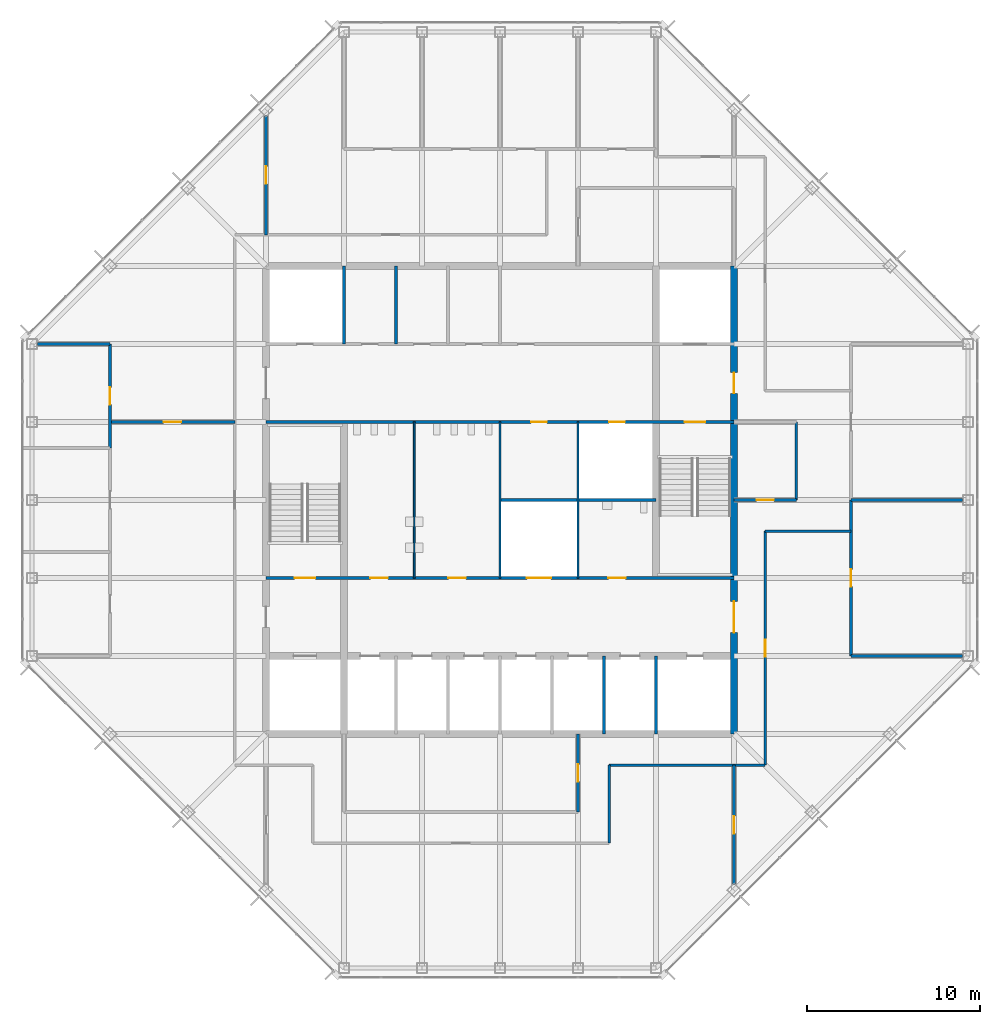
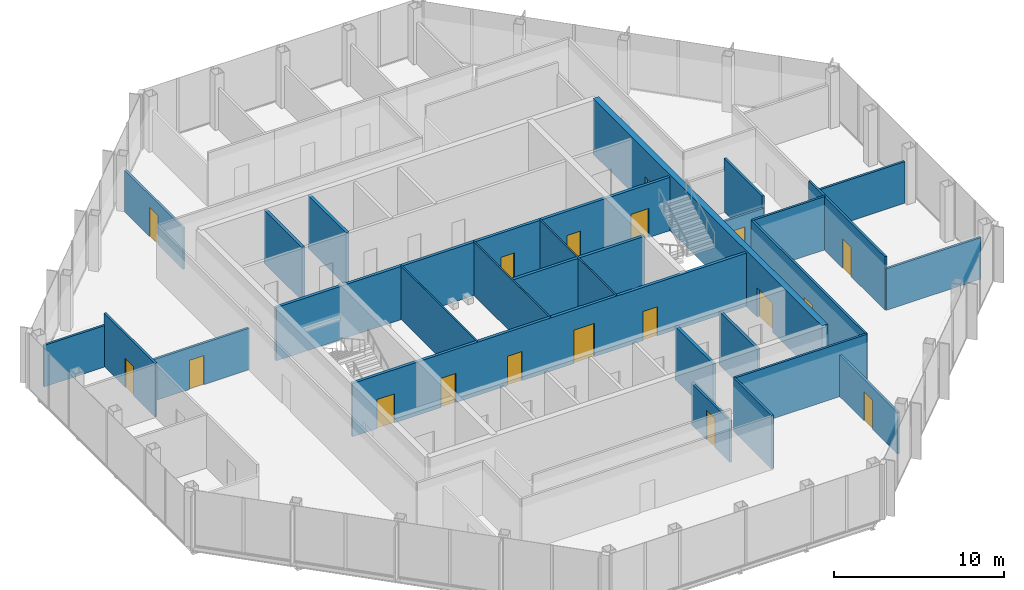
# One storey, part 10 of 14: 26 walls, 18 doors, 18 openings.
"""IFC4 building model written with IfcOpenShell, lengths in metres."""

from ifc_helpers import new_model, si_unit, direction, frame, frame_2d, origin, place, context, subcontext, project, spatial, rectangle, extrude, material, layer, layer_set, type_object, element, fill, save


model = new_model("IFC4")

# Units and contexts
model_context = context("Model", 3, precision=1e-05, world=origin(), true_north=direction((0.0, 1.0)))
body_context = subcontext(model_context, "Body", "Model", "MODEL_VIEW")
ifc_project = project(units=[si_unit("LENGTHUNIT", "METRE"), si_unit("AREAUNIT", "SQUARE_METRE"), si_unit("VOLUMEUNIT", "CUBIC_METRE"), si_unit("PLANEANGLEUNIT", "RADIAN"), si_unit("MASSUNIT", "GRAM", prefix="KILO")], contexts=[model_context])

# Site, building, storey
site_placement = place(None, origin())
site = spatial("IfcSite", under=ifc_project, at=site_placement, CompositionType="ELEMENT")
building_placement = place(site_placement, origin())
building = spatial("IfcBuilding", under=site, at=building_placement, Name="Corais Broadcast Tower", CompositionType="ELEMENT")
storey_placement = place(building_placement, frame((0.0, 0.0, 290.60009765625)))
storey = spatial("IfcBuildingStorey", under=building, at=storey_placement, Name="L68", CompositionType="ELEMENT", Elevation=290.60009765625)

# Walls
ifc_material_1 = material(Name="Concrete blockwork class A, grouted, two-hour", Category="masonry")
ifc_layer_1 = layer(ifc_material_1, 0.199951171875)
ifc_layer_set_1 = layer_set([ifc_layer_1], Name="Concrete blockwork class A, grouted, two-hour")
wall_type_1 = type_object("IfcWallType", Name="Core lobby wall 200", PredefinedType="SOLIDWALL", material=ifc_layer_set_1)
for number, where, z_axis, x_axis, name in (
    (1, (18.0, 36.0, 0.0), (0.0, 0.0, 1.0), (0.0, 1.0, 0.0), "CL3 core shaft wall X18B L68"),
    (2, (36.0, 13.5, 0.0), (0.0, 0.0, 1.0), (0.0, 1.0, 0.0), "CL3 core shaft wall X36A L68"),
):
    element("IfcWall", number, at=place(storey_placement, frame(where, z_axis=z_axis, x_axis=x_axis)), inside=storey, type_object=wall_type_1, Name=name, PredefinedType="SOLIDWALL", context=body_context, shape_type="SweptSolid", body=[
        extrude(rectangle(XDim=4.5, YDim=0.199951171875, at=frame_2d((2.25, 0.0))), origin(), (0.0, 0.0, 1.0), 3.83984375),
    ])

# Wall, openings, doors
wall_1_placement = place(storey_placement, frame((13.5, 22.5, 0.0), z_axis=(0.0, 0.0, 1.0), x_axis=(1.0, 0.0, 0.0)))
wall_1 = element("IfcWall", 3, at=wall_1_placement, inside=storey, type_object=wall_type_1, Name="CL3 core lobby wall Y225 L68", PredefinedType="SOLIDWALL", context=body_context, shape_type="SweptSolid", body=[
    extrude(rectangle(XDim=27.0, YDim=0.199951171875, at=frame_2d((13.5, 0.0))), origin(), (0.0, 0.0, 1.0), 3.83984375),
])
opening_1_placement = place(wall_1_placement, frame((1.64990234375, 0.0, 0.0)))
opening_1 = element("IfcOpeningElement", 4, at=opening_1_placement, cuts=wall_1, Name="Opening FD1", PredefinedType="OPENING", context=body_context, shape_type="SweptSolid", body=[
    extrude(rectangle(XDim=1.199951171875, YDim=2.10009765625, at=frame_2d((0.60009765625, 1.050048828125))), frame((0.0, 0.10986328125, 0.0), z_axis=(0.0, -1.0, 0.0), x_axis=(1.0, 0.0, 0.0)), (0.0, 0.0, 1.0), 0.219970703125),
])
opening_2_placement = place(wall_1_placement, frame((6.02490234375, 0.0, 0.0)))
opening_2 = element("IfcOpeningElement", 5, at=opening_2_placement, cuts=wall_1, Name="Opening WD1", PredefinedType="OPENING", context=body_context, shape_type="SweptSolid", body=[
    extrude(rectangle(XDim=1.0, YDim=2.10009765625, at=frame_2d((0.5, 1.050048828125))), frame((0.0, 0.10986328125, 0.0), z_axis=(0.0, -1.0, 0.0), x_axis=(1.0, 0.0, 0.0)), (0.0, 0.0, 1.0), 0.219970703125),
])
opening_3_placement = place(wall_1_placement, frame((10.52490234375, 0.0, 0.0)))
opening_3 = element("IfcOpeningElement", 6, at=opening_3_placement, cuts=wall_1, Name="Opening WD1", PredefinedType="OPENING", context=body_context, shape_type="SweptSolid", body=[
    extrude(rectangle(XDim=1.0, YDim=2.10009765625, at=frame_2d((0.5, 1.050048828125))), frame((0.0, 0.10986328125, 0.0), z_axis=(0.0, -1.0, 0.0), x_axis=(1.0, 0.0, 0.0)), (0.0, 0.0, 1.0), 0.219970703125),
])
opening_4_placement = place(wall_1_placement, frame((19.75, 0.0, 0.0)))
opening_4 = element("IfcOpeningElement", 7, at=opening_4_placement, cuts=wall_1, Name="Opening WD1", PredefinedType="OPENING", context=body_context, shape_type="SweptSolid", body=[
    extrude(rectangle(XDim=1.0, YDim=2.10009765625, at=frame_2d((0.5, 1.050048828125))), frame((0.0, 0.10986328125, 0.0), z_axis=(0.0, -1.0, 0.0), x_axis=(1.0, 0.0, 0.0)), (0.0, 0.0, 1.0), 0.219970703125),
])
opening_5_placement = place(wall_1_placement, frame((15.050048828125, 0.0, 0.0)))
opening_5 = element("IfcOpeningElement", 8, at=opening_5_placement, cuts=wall_1, Name="Opening LD3", PredefinedType="OPENING", context=body_context, shape_type="SweptSolid", body=[
    extrude(rectangle(XDim=1.39990234375, YDim=2.39990234375, at=frame_2d((0.699951171875, 1.199951171875))), frame((0.0, 0.10986328125, 0.0), z_axis=(0.0, -1.0, 0.0), x_axis=(1.0, 0.0, 0.0)), (0.0, 0.0, 1.0), 0.219970703125),
])
ifc_material_2 = material(Name="Steel fire door", Category="steel")
door_type_1 = type_object("IfcDoorType", Name="Fire door 1200x2100", OperationType="SINGLE_SWING_LEFT", PredefinedType="DOOR", material=ifc_material_2)
door_1_placement = place(opening_1_placement, origin())
door_1 = element("IfcDoor", 9, at=door_1_placement, inside=storey, type_object=door_type_1, Name="FD1 stair A door L68", OperationType="SINGLE_SWING_LEFT", OverallHeight=2.10009765625, OverallWidth=1.199951171875, PredefinedType="DOOR", context=body_context, shape_type="SweptSolid", body=[
    extrude(rectangle(XDim=1.199951171875, YDim=2.10009765625, at=frame_2d((0.60009765625, 1.050048828125))), frame((0.0, 0.02490234375, 0.0), z_axis=(0.0, -1.0, 0.0), x_axis=(1.0, 0.0, 0.0)), (0.0, 0.0, 1.0), 0.050048828125),
])
fill(opening_1, door_1)
ifc_material_3 = material(Name="Stainless steel lift door", Category="steel")
door_type_2 = type_object("IfcDoorType", Name="Service lift landing door 1400x2400", OperationType="SLIDING_TO_LEFT", PredefinedType="DOOR", material=ifc_material_3)
door_2_placement = place(opening_5_placement, origin())
door_2 = element("IfcDoor", 10, at=door_2_placement, inside=storey, type_object=door_type_2, Name="LD3 SL1 landing door L68", OperationType="SLIDING_TO_LEFT", OverallHeight=2.39990234375, OverallWidth=1.39990234375, PredefinedType="DOOR", context=body_context, shape_type="SweptSolid", body=[
    extrude(rectangle(XDim=1.39990234375, YDim=2.39990234375, at=frame_2d((0.699951171875, 1.199951171875))), frame((0.0, 0.02490234375, 0.0), z_axis=(0.0, -1.0, 0.0), x_axis=(1.0, 0.0, 0.0)), (0.0, 0.0, 1.0), 0.050048828125),
])
fill(opening_5, door_2)
ifc_material_4 = material(Name="Timber door", Category="wood")
door_type_3 = type_object("IfcDoorType", Name="Toilet door 1000x2100", OperationType="SINGLE_SWING_LEFT", PredefinedType="DOOR", material=ifc_material_4)
door_3_placement = place(opening_2_placement, origin())
door_3 = element("IfcDoor", 11, at=door_3_placement, inside=storey, type_object=door_type_3, Name="WD1 WC male door L68", OperationType="SINGLE_SWING_LEFT", OverallHeight=2.10009765625, OverallWidth=1.0, PredefinedType="DOOR", context=body_context, shape_type="SweptSolid", body=[
    extrude(rectangle(XDim=1.0, YDim=2.10009765625, at=frame_2d((0.5, 1.050048828125))), frame((0.0, 0.02490234375, 0.0), z_axis=(0.0, -1.0, 0.0), x_axis=(1.0, 0.0, 0.0)), (0.0, 0.0, 1.0), 0.050048828125),
])
fill(opening_2, door_3)
door_4_placement = place(opening_3_placement, origin())
door_4 = element("IfcDoor", 12, at=door_4_placement, inside=storey, type_object=door_type_3, Name="WD1 WC female door L68", OperationType="SINGLE_SWING_LEFT", OverallHeight=2.10009765625, OverallWidth=1.0, PredefinedType="DOOR", context=body_context, shape_type="SweptSolid", body=[
    extrude(rectangle(XDim=1.0, YDim=2.10009765625, at=frame_2d((0.5, 1.050048828125))), frame((0.0, 0.02490234375, 0.0), z_axis=(0.0, -1.0, 0.0), x_axis=(1.0, 0.0, 0.0)), (0.0, 0.0, 1.0), 0.050048828125),
])
fill(opening_3, door_4)
door_5_placement = place(opening_4_placement, origin())
door_5 = element("IfcDoor", 13, at=door_5_placement, inside=storey, type_object=door_type_3, Name="WD1 accessible WC door L68", OperationType="SINGLE_SWING_RIGHT", OverallHeight=2.10009765625, OverallWidth=1.0, PredefinedType="DOOR", context=body_context, shape_type="SweptSolid", body=[
    extrude(rectangle(XDim=1.0, YDim=2.10009765625, at=frame_2d((0.5, 1.050048828125))), frame((0.0, 0.02490234375, 0.0), z_axis=(0.0, -1.0, 0.0), x_axis=(1.0, 0.0, 0.0)), (0.0, 0.0, 1.0), 0.050048828125),
])
fill(opening_4, door_5)

wall_2_placement = place(storey_placement, frame((13.5, 31.5, 0.0), z_axis=(0.0, 0.0, 1.0), x_axis=(1.0, 0.0, 0.0)))
wall_2 = element("IfcWall", 14, at=wall_2_placement, inside=storey, type_object=wall_type_1, Name="CL3 core lobby wall Y315 L68", PredefinedType="SOLIDWALL", context=body_context, shape_type="SweptSolid", body=[
    extrude(rectangle(XDim=27.0, YDim=0.199951171875, at=frame_2d((13.5, 0.0))), origin(), (0.0, 0.0, 1.0), 3.83984375),
])
opening_6_placement = place(wall_2_placement, frame((24.14990234375, 0.0, 0.0)))
opening_6 = element("IfcOpeningElement", 15, at=opening_6_placement, cuts=wall_2, Name="Opening FD1", PredefinedType="OPENING", context=body_context, shape_type="SweptSolid", body=[
    extrude(rectangle(XDim=1.199951171875, YDim=2.10009765625, at=frame_2d((0.60009765625, 1.050048828125))), frame((0.0, 0.10986328125, 0.0), z_axis=(0.0, -1.0, 0.0), x_axis=(1.0, 0.0, 0.0)), (0.0, 0.0, 1.0), 0.219970703125),
])
opening_7_placement = place(wall_2_placement, frame((15.300048828125, 0.0, 0.0)))
opening_7 = element("IfcOpeningElement", 16, at=opening_7_placement, cuts=wall_2, Name="Opening RD1", PredefinedType="OPENING", context=body_context, shape_type="SweptSolid", body=[
    extrude(rectangle(XDim=0.89990234375, YDim=2.10009765625, at=frame_2d((0.449951171875, 1.050048828125))), frame((0.0, 0.10986328125, 0.0), z_axis=(0.0, -1.0, 0.0), x_axis=(1.0, 0.0, 0.0)), (0.0, 0.0, 1.0), 0.219970703125),
])
opening_8_placement = place(wall_2_placement, frame((19.800048828125, 0.0, 0.0)))
opening_8 = element("IfcOpeningElement", 17, at=opening_8_placement, cuts=wall_2, Name="Opening RD1", PredefinedType="OPENING", context=body_context, shape_type="SweptSolid", body=[
    extrude(rectangle(XDim=0.89990234375, YDim=2.10009765625, at=frame_2d((0.449951171875, 1.050048828125))), frame((0.0, 0.10986328125, 0.0), z_axis=(0.0, -1.0, 0.0), x_axis=(1.0, 0.0, 0.0)), (0.0, 0.0, 1.0), 0.219970703125),
])
door_6_placement = place(opening_6_placement, origin())
door_6 = element("IfcDoor", 18, at=door_6_placement, inside=storey, type_object=door_type_1, Name="FD1 stair B door L68", OperationType="SINGLE_SWING_RIGHT", OverallHeight=2.10009765625, OverallWidth=1.199951171875, PredefinedType="DOOR", context=body_context, shape_type="SweptSolid", body=[
    extrude(rectangle(XDim=1.199951171875, YDim=2.10009765625, at=frame_2d((0.60009765625, 1.050048828125))), frame((0.0, 0.02490234375, 0.0), z_axis=(0.0, -1.0, 0.0), x_axis=(1.0, 0.0, 0.0)), (0.0, 0.0, 1.0), 0.050048828125),
])
fill(opening_6, door_6)
ifc_material_5 = material(Name="Steel fire door", Category="steel")
door_type_4 = type_object("IfcDoorType", Name="Riser door 900x2100", OperationType="SINGLE_SWING_LEFT", PredefinedType="DOOR", material=ifc_material_5)
door_7_placement = place(opening_7_placement, origin())
door_7 = element("IfcDoor", 19, at=door_7_placement, inside=storey, type_object=door_type_4, Name="RD1 stationery store door L68", OperationType="SINGLE_SWING_RIGHT", OverallHeight=2.10009765625, OverallWidth=0.89990234375, PredefinedType="DOOR", context=body_context, shape_type="SweptSolid", body=[
    extrude(rectangle(XDim=0.89990234375, YDim=2.10009765625, at=frame_2d((0.449951171875, 1.050048828125))), frame((0.0, 0.02490234375, 0.0), z_axis=(0.0, -1.0, 0.0), x_axis=(1.0, 0.0, 0.0)), (0.0, 0.0, 1.0), 0.050048828125),
])
fill(opening_7, door_7)
door_8_placement = place(opening_8_placement, origin())
door_8 = element("IfcDoor", 20, at=door_8_placement, inside=storey, type_object=door_type_4, Name="RD1 riser door L68", OperationType="SINGLE_SWING_RIGHT", OverallHeight=2.10009765625, OverallWidth=0.89990234375, PredefinedType="DOOR", context=body_context, shape_type="SweptSolid", body=[
    extrude(rectangle(XDim=0.89990234375, YDim=2.10009765625, at=frame_2d((0.449951171875, 1.050048828125))), frame((0.0, 0.02490234375, 0.0), z_axis=(0.0, -1.0, 0.0), x_axis=(1.0, 0.0, 0.0)), (0.0, 0.0, 1.0), 0.050048828125),
])
fill(opening_8, door_8)

ifc_material_6 = material(Name="Concrete C50/60", Category="concrete")
ifc_layer_2 = layer(ifc_material_6, 0.39990234375)
ifc_layer_set_2 = layer_set([ifc_layer_2], Name="Concrete C50/60")
wall_type_2 = type_object("IfcWallType", Name="Core wall 400", PredefinedType="SHEAR", material=ifc_layer_set_2)
wall_3_placement = place(storey_placement, frame((40.5, 13.5, 0.0), z_axis=(0.0, 0.0, 1.0), x_axis=(0.0, 1.0, 0.0)))
wall_3 = element("IfcWall", 21, at=wall_3_placement, inside=storey, type_object=wall_type_2, Name="CR400 core wall E L68", PredefinedType="SHEAR", context=body_context, shape_type="SweptSolid", body=[
    extrude(rectangle(XDim=27.0, YDim=0.39990234375, at=frame_2d((13.5, 0.0))), origin(), (0.0, 0.0, 1.0), 4.0),
])
opening_9_placement = place(wall_3_placement, frame((5.85009765625, 0.0, 0.0)))
opening_9 = element("IfcOpeningElement", 22, at=opening_9_placement, cuts=wall_3, Name="Opening FD2", PredefinedType="OPENING", context=body_context, shape_type="SweptSolid", body=[
    extrude(rectangle(XDim=1.800048828125, YDim=2.10009765625, at=frame_2d((0.89990234375, 1.050048828125))), frame((0.0, 0.2099609375, 0.0), z_axis=(0.0, -1.0, 0.0), x_axis=(1.0, 0.0, 0.0)), (0.0, 0.0, 1.0), 0.419921875),
])
opening_10_placement = place(wall_3_placement, frame((19.64990234375, 0.0, 0.0)))
opening_10 = element("IfcOpeningElement", 23, at=opening_10_placement, cuts=wall_3, Name="Opening FD1", PredefinedType="OPENING", context=body_context, shape_type="SweptSolid", body=[
    extrude(rectangle(XDim=1.199951171875, YDim=2.10009765625, at=frame_2d((0.60009765625, 1.050048828125))), frame((0.0, 0.2099609375, 0.0), z_axis=(0.0, -1.0, 0.0), x_axis=(1.0, 0.0, 0.0)), (0.0, 0.0, 1.0), 0.419921875),
])
door_9_placement = place(opening_10_placement, origin())
door_9 = element("IfcDoor", 24, at=door_9_placement, inside=storey, type_object=door_type_1, Name="FD1 fire lobby B door L68", OperationType="SINGLE_SWING_RIGHT", OverallHeight=2.10009765625, OverallWidth=1.199951171875, PredefinedType="DOOR", context=body_context, shape_type="SweptSolid", body=[
    extrude(rectangle(XDim=1.199951171875, YDim=2.10009765625, at=frame_2d((0.60009765625, 1.050048828125))), frame((0.0, 0.02490234375, 0.0), z_axis=(0.0, -1.0, 0.0), x_axis=(1.0, 0.0, 0.0)), (0.0, 0.0, 1.0), 0.050048828125),
])
fill(opening_10, door_9)
ifc_material_7 = material(Name="Steel fire door", Category="steel")
door_type_5 = type_object("IfcDoorType", Name="Fire door pair 1800x2100", OperationType="DOUBLE_DOOR_SINGLE_SWING", PredefinedType="DOOR", material=ifc_material_7)
door_10_placement = place(opening_9_placement, origin())
door_10 = element("IfcDoor", 25, at=door_10_placement, inside=storey, type_object=door_type_5, Name="FD2 lift lobby door L68", OperationType="SINGLE_SWING_LEFT", OverallHeight=2.10009765625, OverallWidth=1.800048828125, PredefinedType="DOOR", context=body_context, shape_type="SweptSolid", body=[
    extrude(rectangle(XDim=1.800048828125, YDim=2.10009765625, at=frame_2d((0.89990234375, 1.050048828125))), frame((0.0, 0.02490234375, 0.0), z_axis=(0.0, -1.0, 0.0), x_axis=(1.0, 0.0, 0.0)), (0.0, 0.0, 1.0), 0.050048828125),
])
fill(opening_9, door_10)

# Wall, opening, door
ifc_material_8 = material(Name="Gypsum board on steel studs", Category="steel")
ifc_layer_3 = layer(ifc_material_8, 0.14990234375)
ifc_layer_set_3 = layer_set([ifc_layer_3], Name="Gypsum board on steel studs")
wall_type_3 = type_object("IfcWallType", Name="Partition 150", PredefinedType="PARTITIONING", material=ifc_layer_set_3)
wall_4_placement = place(storey_placement, frame((42.300048828125, 11.699951171875, 0.0), z_axis=(0.0, 0.0, 1.0), x_axis=(0.0, 1.0, 0.0)))
wall_4 = element("IfcWall", 26, at=wall_4_placement, inside=storey, type_object=wall_type_3, Name="IW3 corridor wall L68", PredefinedType="PARTITIONING", context=body_context, shape_type="SweptSolid", body=[
    extrude(rectangle(XDim=13.5, YDim=0.14990234375, at=frame_2d((6.75, 0.0))), origin(), (0.0, 0.0, 1.0), 3.83984375),
])
opening_11_placement = place(wall_4_placement, frame((6.25, 0.0, 0.0)))
opening_11 = element("IfcOpeningElement", 27, at=opening_11_placement, cuts=wall_4, Name="Opening D1", PredefinedType="OPENING", context=body_context, shape_type="SweptSolid", body=[
    extrude(rectangle(XDim=1.0, YDim=2.10009765625, at=frame_2d((0.5, 1.050048828125))), frame((0.0, 0.0849609375, 0.0), z_axis=(0.0, -1.0, 0.0), x_axis=(1.0, 0.0, 0.0)), (0.0, 0.0, 1.0), 0.169921875),
])
ifc_material_9 = material(Name="Timber door", Category="wood")
door_type_6 = type_object("IfcDoorType", Name="Single door 1000x2100", OperationType="SINGLE_SWING_LEFT", PredefinedType="DOOR", material=ifc_material_9)
door_11_placement = place(opening_11_placement, origin())
door_11 = element("IfcDoor", 28, at=door_11_placement, inside=storey, type_object=door_type_6, Name="D1 workplace door L68", OperationType="SINGLE_SWING_LEFT", OverallHeight=2.10009765625, OverallWidth=1.0, PredefinedType="DOOR", context=body_context, shape_type="SweptSolid", body=[
    extrude(rectangle(XDim=1.0, YDim=2.10009765625, at=frame_2d((0.5, 1.050048828125))), frame((0.0, 0.02490234375, 0.0), z_axis=(0.0, -1.0, 0.0), x_axis=(1.0, 0.0, 0.0)), (0.0, 0.0, 1.0), 0.050048828125),
])
fill(opening_11, door_11)

# Walls
wall_5_placement = place(storey_placement, frame((33.300048828125, 11.699951171875, 0.0), z_axis=(0.0, 0.0, 1.0), x_axis=(1.0, 0.0, 0.0)))
element("IfcWall", 29, at=wall_5_placement, inside=storey, type_object=wall_type_3, Name="IW3 corridor wall L68", PredefinedType="PARTITIONING", context=body_context, shape_type="SweptSolid", body=[
    extrude(rectangle(XDim=9.0, YDim=0.14990234375, at=frame_2d((4.5, 0.0))), origin(), (0.0, 0.0, 1.0), 3.83984375),
])
wall_6_placement = place(storey_placement, frame((42.300048828125, 25.199951171875, 0.0), z_axis=(0.0, 0.0, 1.0), x_axis=(1.0, 0.0, 0.0)))
element("IfcWall", 30, at=wall_6_placement, inside=storey, type_object=wall_type_3, Name="IW3 corridor wall L68", PredefinedType="PARTITIONING", context=body_context, shape_type="SweptSolid", body=[
    extrude(rectangle(XDim=4.949951171875, YDim=0.14990234375, at=frame_2d((2.47509765625, 0.0))), origin(), (0.0, 0.0, 1.0), 3.83984375),
])
wall_7_placement = place(storey_placement, frame((33.300048828125, 7.199951171875, 0.0), z_axis=(0.0, 0.0, 1.0), x_axis=(0.0, 1.0, 0.0)))
element("IfcWall", 31, at=wall_7_placement, inside=storey, type_object=wall_type_3, Name="IW3 corridor wall L68", PredefinedType="PARTITIONING", context=body_context, shape_type="SweptSolid", body=[
    extrude(rectangle(XDim=4.5, YDim=0.14990234375, at=frame_2d((2.25, 0.0))), origin(), (0.0, 0.0, 1.0), 3.83984375),
])

# Wall, opening, door
wall_8_placement = place(storey_placement, frame((4.5, 30.0, 0.0), z_axis=(0.0, 0.0, 1.0), x_axis=(0.0, 1.0, 0.0)))
wall_8 = element("IfcWall", 32, at=wall_8_placement, inside=storey, type_object=wall_type_3, Name="IW3 partition L68", PredefinedType="PARTITIONING", context=body_context, shape_type="SweptSolid", body=[
    extrude(rectangle(XDim=6.0, YDim=0.14990234375, at=frame_2d((3.0, 0.0))), origin(), (0.0, 0.0, 1.0), 3.83984375),
])
opening_12_placement = place(wall_8_placement, frame((2.5, 0.0, 0.0)))
opening_12 = element("IfcOpeningElement", 33, at=opening_12_placement, cuts=wall_8, Name="Opening D1", PredefinedType="OPENING", context=body_context, shape_type="SweptSolid", body=[
    extrude(rectangle(XDim=1.0, YDim=2.10009765625, at=frame_2d((0.5, 1.050048828125))), frame((0.0, 0.0849609375, 0.0), z_axis=(0.0, -1.0, 0.0), x_axis=(1.0, 0.0, 0.0)), (0.0, 0.0, 1.0), 0.169921875),
])
door_12_placement = place(opening_12_placement, origin())
door_12 = element("IfcDoor", 34, at=door_12_placement, inside=storey, type_object=door_type_6, Name="D1 Office door", OperationType="SINGLE_SWING_LEFT", OverallHeight=2.10009765625, OverallWidth=1.0, PredefinedType="DOOR", context=body_context, shape_type="SweptSolid", body=[
    extrude(rectangle(XDim=1.0, YDim=2.10009765625, at=frame_2d((0.5, 1.050048828125))), frame((0.0, 0.02490234375, 0.0), z_axis=(0.0, -1.0, 0.0), x_axis=(1.0, 0.0, 0.0)), (0.0, 0.0, 1.0), 0.050048828125),
])
fill(opening_12, door_12)

# Wall
wall_9_placement = place(storey_placement, frame((4.5, 36.0, 0.0), z_axis=(0.0, 0.0, 1.0), x_axis=(-1.0, 0.0, 0.0)))
element("IfcWall", 35, at=wall_9_placement, inside=storey, type_object=wall_type_3, Name="IW3 partition L68", PredefinedType="PARTITIONING", context=body_context, shape_type="SweptSolid", body=[
    extrude(rectangle(XDim=4.18994140625, YDim=0.14990234375, at=frame_2d((2.094970703125, 0.0))), origin(), (0.0, 0.0, 1.0), 2.989013671875),
])

# Wall, opening, door
wall_10_placement = place(storey_placement, frame((31.5, 9.0, 0.0), z_axis=(0.0, 0.0, 1.0), x_axis=(0.0, 1.0, 0.0)))
wall_10 = element("IfcWall", 36, at=wall_10_placement, inside=storey, type_object=wall_type_3, Name="IW3 partition L68", PredefinedType="PARTITIONING", context=body_context, shape_type="SweptSolid", body=[
    extrude(rectangle(XDim=4.5, YDim=0.14990234375, at=frame_2d((2.25, 0.0))), origin(), (0.0, 0.0, 1.0), 2.989013671875),
])
opening_13_placement = place(wall_10_placement, frame((1.75, 0.0, 0.0)))
opening_13 = element("IfcOpeningElement", 37, at=opening_13_placement, cuts=wall_10, Name="Opening D1", PredefinedType="OPENING", context=body_context, shape_type="SweptSolid", body=[
    extrude(rectangle(XDim=1.0, YDim=2.10009765625, at=frame_2d((0.5, 1.050048828125))), frame((0.0, 0.0849609375, 0.0), z_axis=(0.0, -1.0, 0.0), x_axis=(1.0, 0.0, 0.0)), (0.0, 0.0, 1.0), 0.169921875),
])
door_13_placement = place(opening_13_placement, origin())
door_13 = element("IfcDoor", 38, at=door_13_placement, inside=storey, type_object=door_type_6, Name="D1 Board meeting room door", OperationType="SINGLE_SWING_LEFT", OverallHeight=2.10009765625, OverallWidth=1.0, PredefinedType="DOOR", context=body_context, shape_type="SweptSolid", body=[
    extrude(rectangle(XDim=1.0, YDim=2.10009765625, at=frame_2d((0.5, 1.050048828125))), frame((0.0, 0.02490234375, 0.0), z_axis=(0.0, -1.0, 0.0), x_axis=(1.0, 0.0, 0.0)), (0.0, 0.0, 1.0), 0.050048828125),
])
fill(opening_13, door_13)

wall_11_placement = place(storey_placement, frame((40.5, 27.0, 0.0), z_axis=(0.0, 0.0, 1.0), x_axis=(1.0, 0.0, 0.0)))
wall_11 = element("IfcWall", 39, at=wall_11_placement, inside=storey, type_object=wall_type_3, Name="IW3 partition L68", PredefinedType="PARTITIONING", context=body_context, shape_type="SweptSolid", body=[
    extrude(rectangle(XDim=3.60009765625, YDim=0.14990234375, at=frame_2d((1.800048828125, 0.0))), origin(), (0.0, 0.0, 1.0), 2.989013671875),
])
opening_14_placement = place(wall_11_placement, frame((1.300048828125, 0.0, 0.0)))
opening_14 = element("IfcOpeningElement", 40, at=opening_14_placement, cuts=wall_11, Name="Opening D1", PredefinedType="OPENING", context=body_context, shape_type="SweptSolid", body=[
    extrude(rectangle(XDim=1.0, YDim=2.10009765625, at=frame_2d((0.5, 1.050048828125))), frame((0.0, 0.0849609375, 0.0), z_axis=(0.0, -1.0, 0.0), x_axis=(1.0, 0.0, 0.0)), (0.0, 0.0, 1.0), 0.169921875),
])
door_14_placement = place(opening_14_placement, origin())
door_14 = element("IfcDoor", 41, at=door_14_placement, inside=storey, type_object=door_type_6, Name="D1 Pantry door", OperationType="SINGLE_SWING_LEFT", OverallHeight=2.10009765625, OverallWidth=1.0, PredefinedType="DOOR", context=body_context, shape_type="SweptSolid", body=[
    extrude(rectangle(XDim=1.0, YDim=2.10009765625, at=frame_2d((0.5, 1.050048828125))), frame((0.0, 0.02490234375, 0.0), z_axis=(0.0, -1.0, 0.0), x_axis=(1.0, 0.0, 0.0)), (0.0, 0.0, 1.0), 0.050048828125),
])
fill(opening_14, door_14)

# Walls
wall_12_placement = place(storey_placement, frame((44.10009765625, 27.0, 0.0), z_axis=(0.0, 0.0, 1.0), x_axis=(0.0, 1.0, 0.0)))
element("IfcWall", 42, at=wall_12_placement, inside=storey, type_object=wall_type_3, Name="IW3 partition L68", PredefinedType="PARTITIONING", context=body_context, shape_type="SweptSolid", body=[
    extrude(rectangle(XDim=4.5, YDim=0.14990234375, at=frame_2d((2.25, 0.0))), origin(), (0.0, 0.0, 1.0), 3.83984375),
])
for number, where, z_axis, x_axis, name in (
    (43, (47.25, 18.0, 0.0), (0.0, 0.0, 1.0), (1.0, 0.0, 0.0), "IW3 partition L68"),
    (44, (53.68994140625, 27.0, 0.0), (0.0, 0.0, 1.0), (-1.0, 0.0, 0.0), "IW3 partition L68"),
):
    element("IfcWall", number, at=place(storey_placement, frame(where, z_axis=z_axis, x_axis=x_axis)), inside=storey, type_object=wall_type_3, Name=name, PredefinedType="PARTITIONING", context=body_context, shape_type="SweptSolid", body=[
        extrude(rectangle(XDim=6.43994140625, YDim=0.14990234375, at=frame_2d((3.219970703125, 0.0))), origin(), (0.0, 0.0, 1.0), 2.989013671875),
    ])

# Wall, opening, door
wall_13_placement = place(storey_placement, frame((47.25, 27.0, 0.0), z_axis=(0.0, 0.0, 1.0), x_axis=(0.0, -1.0, 0.0)))
wall_13 = element("IfcWall", 45, at=wall_13_placement, inside=storey, type_object=wall_type_3, Name="IW3 partition L68", PredefinedType="PARTITIONING", context=body_context, shape_type="SweptSolid", body=[
    extrude(rectangle(XDim=9.0, YDim=0.14990234375, at=frame_2d((4.5, 0.0))), origin(), (0.0, 0.0, 1.0), 3.83984375),
])
opening_15_placement = place(wall_13_placement, frame((4.0, 0.0, 0.0)))
opening_15 = element("IfcOpeningElement", 46, at=opening_15_placement, cuts=wall_13, Name="Opening D1", PredefinedType="OPENING", context=body_context, shape_type="SweptSolid", body=[
    extrude(rectangle(XDim=1.0, YDim=2.10009765625, at=frame_2d((0.5, 1.050048828125))), frame((0.0, 0.0849609375, 0.0), z_axis=(0.0, -1.0, 0.0), x_axis=(1.0, 0.0, 0.0)), (0.0, 0.0, 1.0), 0.169921875),
])
door_15_placement = place(opening_15_placement, origin())
door_15 = element("IfcDoor", 47, at=door_15_placement, inside=storey, type_object=door_type_6, Name="D1 Counsel suite door", OperationType="SINGLE_SWING_LEFT", OverallHeight=2.10009765625, OverallWidth=1.0, PredefinedType="DOOR", context=body_context, shape_type="SweptSolid", body=[
    extrude(rectangle(XDim=1.0, YDim=2.10009765625, at=frame_2d((0.5, 1.050048828125))), frame((0.0, 0.02490234375, 0.0), z_axis=(0.0, -1.0, 0.0), x_axis=(1.0, 0.0, 0.0)), (0.0, 0.0, 1.0), 0.050048828125),
])
fill(opening_15, door_15)

wall_14_placement = place(storey_placement, frame((13.5, 42.300048828125, 0.0), z_axis=(0.0, 0.0, 1.0), x_axis=(0.0, 1.0, 0.0)))
wall_14 = element("IfcWall", 48, at=wall_14_placement, inside=storey, type_object=wall_type_3, Name="IW3 partition L68", PredefinedType="PARTITIONING", context=body_context, shape_type="SweptSolid", body=[
    extrude(rectangle(XDim=6.8798828125, YDim=0.14990234375, at=frame_2d((3.43994140625, 0.0))), origin(), (0.0, 0.0, 1.0), 2.989013671875),
])
opening_16_placement = place(wall_14_placement, frame((2.93994140625, 0.0, 0.0)))
opening_16 = element("IfcOpeningElement", 49, at=opening_16_placement, cuts=wall_14, Name="Opening D1", PredefinedType="OPENING", context=body_context, shape_type="SweptSolid", body=[
    extrude(rectangle(XDim=1.0, YDim=2.10009765625, at=frame_2d((0.5, 1.050048828125))), frame((0.0, 0.0849609375, 0.0), z_axis=(0.0, -1.0, 0.0), x_axis=(1.0, 0.0, 0.0)), (0.0, 0.0, 1.0), 0.169921875),
])
door_16_placement = place(opening_16_placement, origin())
door_16 = element("IfcDoor", 50, at=door_16_placement, inside=storey, type_object=door_type_6, Name="D1 team room door L68", OperationType="SINGLE_SWING_LEFT", OverallHeight=2.10009765625, OverallWidth=1.0, PredefinedType="DOOR", context=body_context, shape_type="SweptSolid", body=[
    extrude(rectangle(XDim=1.0, YDim=2.10009765625, at=frame_2d((0.5, 1.050048828125))), frame((0.0, 0.02490234375, 0.0), z_axis=(0.0, -1.0, 0.0), x_axis=(1.0, 0.0, 0.0)), (0.0, 0.0, 1.0), 0.050048828125),
])
fill(opening_16, door_16)

wall_15_placement = place(storey_placement, frame((40.5, 4.820068359375, 0.0), z_axis=(0.0, 0.0, 1.0), x_axis=(0.0, 1.0, 0.0)))
wall_15 = element("IfcWall", 51, at=wall_15_placement, inside=storey, type_object=wall_type_3, Name="IW3 partition L68", PredefinedType="PARTITIONING", context=body_context, shape_type="SweptSolid", body=[
    extrude(rectangle(XDim=6.8798828125, YDim=0.14990234375, at=frame_2d((3.43994140625, 0.0))), origin(), (0.0, 0.0, 1.0), 2.989013671875),
])
opening_17_placement = place(wall_15_placement, frame((2.93994140625, 0.0, 0.0)))
opening_17 = element("IfcOpeningElement", 52, at=opening_17_placement, cuts=wall_15, Name="Opening D1", PredefinedType="OPENING", context=body_context, shape_type="SweptSolid", body=[
    extrude(rectangle(XDim=1.0, YDim=2.10009765625, at=frame_2d((0.5, 1.050048828125))), frame((0.0, 0.0849609375, 0.0), z_axis=(0.0, -1.0, 0.0), x_axis=(1.0, 0.0, 0.0)), (0.0, 0.0, 1.0), 0.169921875),
])
door_17_placement = place(opening_17_placement, origin())
door_17 = element("IfcDoor", 53, at=door_17_placement, inside=storey, type_object=door_type_6, Name="D1 team room door L68", OperationType="SINGLE_SWING_LEFT", OverallHeight=2.10009765625, OverallWidth=1.0, PredefinedType="DOOR", context=body_context, shape_type="SweptSolid", body=[
    extrude(rectangle(XDim=1.0, YDim=2.10009765625, at=frame_2d((0.5, 1.050048828125))), frame((0.0, 0.02490234375, 0.0), z_axis=(0.0, -1.0, 0.0), x_axis=(1.0, 0.0, 0.0)), (0.0, 0.0, 1.0), 0.050048828125),
])
fill(opening_17, door_17)

wall_16_placement = place(storey_placement, frame((4.5, 31.5, 0.0), z_axis=(0.0, 0.0, 1.0), x_axis=(1.0, 0.0, 0.0)))
wall_16 = element("IfcWall", 54, at=wall_16_placement, inside=storey, type_object=wall_type_3, Name="IW3 partition L68", PredefinedType="PARTITIONING", context=body_context, shape_type="SweptSolid", body=[
    extrude(rectangle(XDim=7.199951171875, YDim=0.14990234375, at=frame_2d((3.60009765625, 0.0))), origin(), (0.0, 0.0, 1.0), 2.989013671875),
])
opening_18_placement = place(wall_16_placement, frame((3.10009765625, 0.0, 0.0)))
opening_18 = element("IfcOpeningElement", 55, at=opening_18_placement, cuts=wall_16, Name="Opening D1", PredefinedType="OPENING", context=body_context, shape_type="SweptSolid", body=[
    extrude(rectangle(XDim=1.0, YDim=2.10009765625, at=frame_2d((0.5, 1.050048828125))), frame((0.0, 0.0849609375, 0.0), z_axis=(0.0, -1.0, 0.0), x_axis=(1.0, 0.0, 0.0)), (0.0, 0.0, 1.0), 0.169921875),
])
door_18_placement = place(opening_18_placement, origin())
door_18 = element("IfcDoor", 56, at=door_18_placement, inside=storey, type_object=door_type_6, Name="D1 team room door L68", OperationType="SINGLE_SWING_LEFT", OverallHeight=2.10009765625, OverallWidth=1.0, PredefinedType="DOOR", context=body_context, shape_type="SweptSolid", body=[
    extrude(rectangle(XDim=1.0, YDim=2.10009765625, at=frame_2d((0.5, 1.050048828125))), frame((0.0, 0.02490234375, 0.0), z_axis=(0.0, -1.0, 0.0), x_axis=(1.0, 0.0, 0.0)), (0.0, 0.0, 1.0), 0.050048828125),
])
fill(opening_18, door_18)

# Walls
ifc_material_10 = material(Name="Concrete blockwork class A, grouted, two-hour", Category="masonry")
ifc_layer_4 = layer(ifc_material_10, 0.199951171875)
ifc_layer_set_4 = layer_set([ifc_layer_4], Name="Concrete blockwork class A, grouted, two-hour")
wall_type_4 = type_object("IfcWallType", Name="Shaft wall 200", PredefinedType="PARTITIONING", material=ifc_layer_set_4)
for number, where, z_axis, x_axis, name in (
    (57, (21.0, 36.0, 0.0), (0.0, 0.0, 1.0), (0.0, 1.0, 0.0), "IW1 shaft wall L68"),
    (58, (33.0, 13.5, 0.0), (0.0, 0.0, 1.0), (0.0, 1.0, 0.0), "IW1 shaft wall L68"),
):
    element("IfcWall", number, at=place(storey_placement, frame(where, z_axis=z_axis, x_axis=x_axis)), inside=storey, type_object=wall_type_4, Name=name, PredefinedType="PARTITIONING", context=body_context, shape_type="SweptSolid", body=[
        extrude(rectangle(XDim=4.5, YDim=0.199951171875, at=frame_2d((2.25, 0.0))), origin(), (0.0, 0.0, 1.0), 3.83984375),
    ])
wall_17_placement = place(storey_placement, frame((27.0, 27.0, 0.0), z_axis=(0.0, 0.0, 1.0), x_axis=(1.0, 0.0, 0.0)))
element("IfcWall", 59, at=wall_17_placement, inside=storey, type_object=wall_type_4, Name="IW1 shaft wall L68", PredefinedType="PARTITIONING", context=body_context, shape_type="SweptSolid", body=[
    extrude(rectangle(XDim=9.0, YDim=0.199951171875, at=frame_2d((4.5, 0.0))), origin(), (0.0, 0.0, 1.0), 3.83984375),
])
ifc_material_11 = material(Name="Dense concrete blockwork class A, tiled both faces", Category="masonry")
ifc_layer_5 = layer(ifc_material_11, 0.10009765625)
ifc_layer_set_5 = layer_set([ifc_layer_5], Name="Dense concrete blockwork class A, tiled both faces")
wall_type_5 = type_object("IfcWallType", Name="Toilet wall 100", PredefinedType="PLUMBINGWALL", material=ifc_layer_set_5)
for number, where, z_axis, x_axis, name in (
    (60, (22.050048828125, 22.5, 0.0), (0.0, 0.0, 1.0), (0.0, 1.0, 0.0), "IW2 toilet wall L68"),
    (61, (27.0, 22.5, 0.0), (0.0, 0.0, 1.0), (0.0, 1.0, 0.0), "IW2 toilet wall L68"),
    (62, (31.5, 22.5, 0.0), (0.0, 0.0, 1.0), (0.0, 1.0, 0.0), "IW2 toilet wall L68"),
):
    element("IfcWall", number, at=place(storey_placement, frame(where, z_axis=z_axis, x_axis=x_axis)), inside=storey, type_object=wall_type_5, Name=name, PredefinedType="PLUMBINGWALL", context=body_context, shape_type="SweptSolid", body=[
        extrude(rectangle(XDim=9.0, YDim=0.10009765625, at=frame_2d((4.5, 0.0))), origin(), (0.0, 0.0, 1.0), 3.83984375),
    ])

save(model, "model.ifc")
